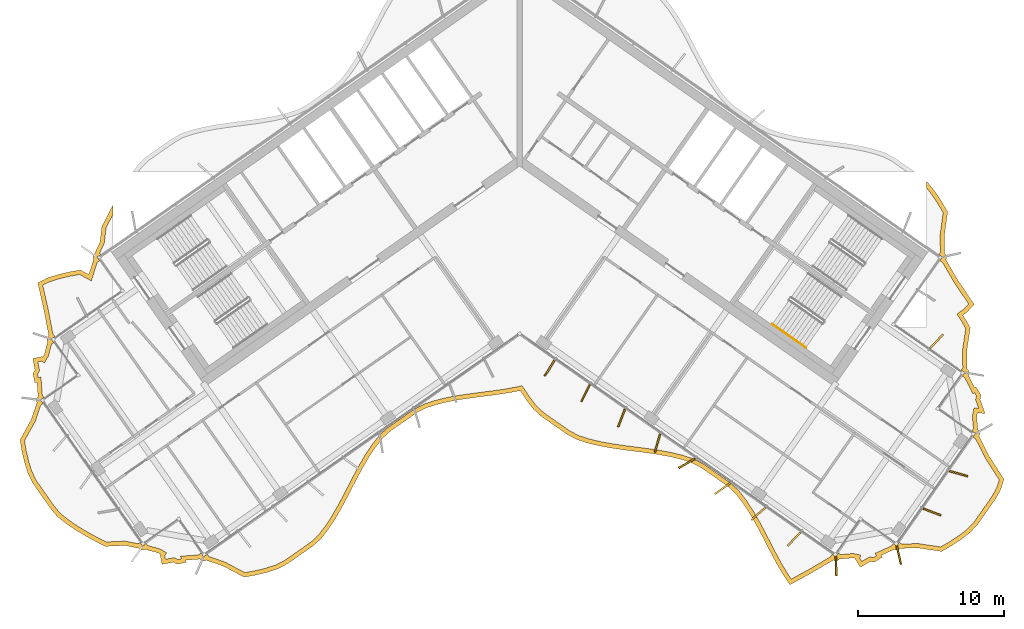
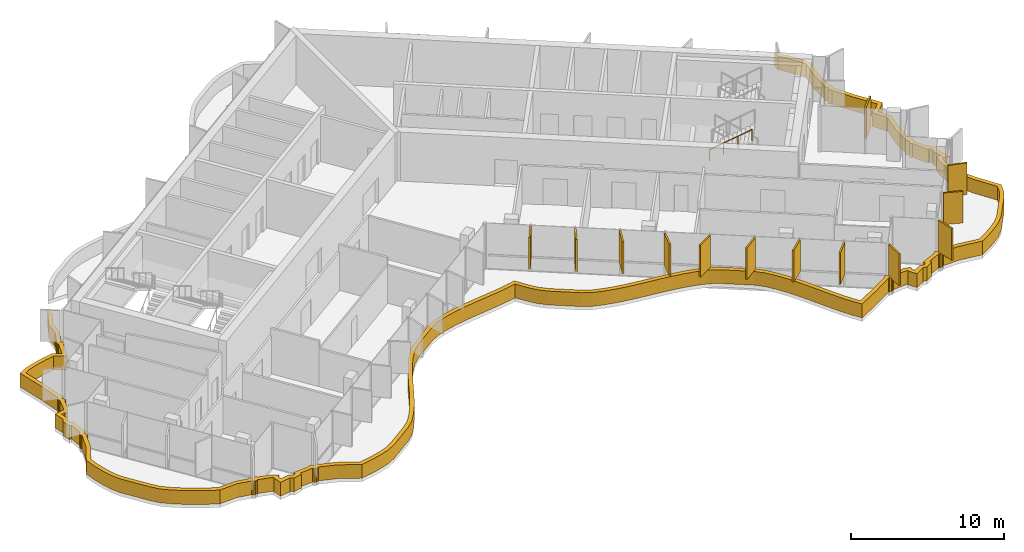
# One storey, part 16 of 18: 14 shading devices, 1 railing.
"""IFC4 building model written with IfcOpenShell, lengths in metres."""

from ifc_helpers import new_model, si_unit, direction, frame, origin, origin_2d, place, context, subcontext, project, spatial, polyline, rectangle, circle, outline, extrude, material, layer, layer_set, type_object, element, save


model = new_model("IFC4")

# Units and contexts
model_context = context("Model", 3, precision=1e-05, world=origin(), true_north=direction((0.0, 1.0)))
body_context = subcontext(model_context, "Body", "Model", "MODEL_VIEW")
ifc_project = project(units=[si_unit("LENGTHUNIT", "METRE"), si_unit("AREAUNIT", "SQUARE_METRE"), si_unit("VOLUMEUNIT", "CUBIC_METRE"), si_unit("PLANEANGLEUNIT", "RADIAN"), si_unit("MASSUNIT", "GRAM", prefix="KILO")], contexts=[model_context])

# Site, building, storey
site_placement = place(None, origin())
site = spatial("IfcSite", under=ifc_project, at=site_placement, CompositionType="ELEMENT")
building_placement = place(site_placement, origin())
building = spatial("IfcBuilding", under=site, at=building_placement, Name="Tel Ilan Convention Tower", CompositionType="ELEMENT")
storey_placement = place(building_placement, frame((0.0, 0.0, 264.39990234375)))
storey = spatial("IfcBuildingStorey", under=building, at=storey_placement, Name="L62", CompositionType="ELEMENT", Elevation=264.39990234375)

# Shading devices
ifc_material_1 = material(Name="Aluminium, bronze anodised", Category="aluminium")
ifc_layer_1 = layer(ifc_material_1, 0.1201171875)
ifc_layer_set_1 = layer_set([ifc_layer_1], Name="FIN BRONZE 1300x120")
shading_device_type_1 = type_object("IfcShadingDeviceType", Name="FIN BRONZE 1300x120", PredefinedType="USERDEFINED", material=ifc_layer_set_1)
for number, where, z_axis, x_axis, name in (
    (1, (2.059326171875, -15.055419921875, 1.10009765625), (0.0, 0.0, 1.0), (-0.533204432798, -0.845986425922, 0.0), "FIN"),
    (2, (4.51806640625, -16.77685546875, 1.10009765625), (0.0, 0.0, 1.0), (-0.448799180206, -0.893632640321, 0.0), "FIN"),
    (3, (6.9794921875, -18.492431640625, 1.10009765625), (0.0, 0.0, 1.0), (-0.360177724803, -0.932883704733, 0.0), "FIN"),
    (4, (9.443359375, -20.202392578125, 1.10009765625), (0.0, 0.0, 1.0), (-0.268172612768, -0.963370878614, 0.0), "FIN"),
    (5, (11.458740234375, -21.59130859375, 1.10009765625), (0.0, 0.0, 1.0), (-0.866025403784, -0.5, 0.0), "FIN"),
    (6, (13.9033203125, -23.3251953125, 1.10009765625), (0.0, 0.0, 1.0), (-0.813552070258, -0.581492071294, 0.0), "FIN"),
    (7, (16.352783203125, -25.0556640625, 1.10009765625), (0.0, 0.0, 1.0), (-0.753435896329, -0.657521368568, 0.0), "FIN"),
    (8, (18.806884765625, -26.781982421875, 1.10009765625), (0.0, 0.0, 1.0), (-0.686241637865, -0.727373641577, 0.0), "FIN"),
    (9, (21.68505859375, -28.645751953125, 1.10009765625), (0.0, 0.0, 1.0), (0.029084718749, -0.999576950082, 0.0), "FIN"),
    (10, (25.987060546875, -27.887451171875, 1.10009765625), (0.0, 0.0, 1.0), (0.221170268371, -0.975235208752, 0.0), "FIN"),
    (11, (28.258056640625, -24.9267578125, 1.10009765625), (0.0, 0.0, 1.0), (0.932883704733, -0.360177724803, 0.0), "FIN"),
    (12, (30.07958984375, -22.303466796875, 1.10009765625), (0.0, 0.0, 1.0), (0.963370878614, -0.268172612768, 0.0), "FIN"),
    (13, (28.572998046875, -13.230224609375, 1.10009765625), (0.0, 0.0, 1.0), (0.686241637865, 0.727373641577, 0.0), "FIN"),
):
    element("IfcShadingDevice", number, at=place(storey_placement, frame(where, z_axis=z_axis, x_axis=x_axis)), inside=storey, type_object=shading_device_type_1, Name=name, ObjectType="FIN", PredefinedType="USERDEFINED", context=body_context, shape_type="SweptSolid", body=[
        extrude(rectangle(XDim=1.300048828125, YDim=0.1201171875, at=origin_2d()), origin(), (0.0, 0.0, 1.0), 2.52001953125),
    ])
ifc_material_2 = material(Name="Aluminium, bronze anodised", Category="aluminium")
ifc_layer_2 = layer(ifc_material_2, 0.300048828125)
ifc_layer_set_2 = layer_set([ifc_layer_2], Name="LOUVRE BAND 300x1100")
shading_device_type_2 = type_object("IfcShadingDeviceType", Name="LOUVRE BAND 300x1100", PredefinedType="USERDEFINED", material=ifc_layer_set_2)
shading_device_placement = place(storey_placement, origin())
element("IfcShadingDevice", 14, at=shading_device_placement, inside=storey, type_object=shading_device_type_2, Name="LOUVRE BAND 47.01", ObjectType="LOUVRE", PredefinedType="USERDEFINED", context=body_context, shape_type="SweptSolid", body=[
    extrude(outline(polyline([(-33.47021484375, -18.574462890625), (-34.248779296875, -19.995849609375), (-34.1181640625, -20.780517578125), (-33.940185546875, -21.531982421875), (-33.7158203125, -22.2509765625), (-33.401611328125, -22.906982421875), (-32.166748046875, -24.670654296875), (-31.707763671875, -25.22509765625), (-31.125732421875, -25.69384765625), (-30.49462890625, -26.1279296875), (-29.82373046875, -26.5341796875), (-29.12353515625, -26.920166015625), (-28.398193359375, -27.288330078125), (-27.05419921875, -27.223388671875), (-26.083984375, -27.420166015625), (-26.05517578125, -27.46337890625), (-25.957763671875, -27.5283203125), (-25.843017578125, -27.55126953125), (-25.728271484375, -27.5283203125), (-25.674072265625, -27.492431640625), (-24.7724609375, -27.73388671875), (-24.61669921875, -27.828857421875), (-24.64697265625, -27.878662109375), (-24.51416015625, -28.518310546875), (-23.728759765625, -28.3701171875), (-23.49462890625, -28.5126953125), (-22.855224609375, -28.3798828125), (-22.8828125, -28.233154296875), (-21.90576171875, -28.15673828125), (-21.876953125, -28.2001953125), (-21.779541015625, -28.26513671875), (-21.664794921875, -28.2880859375), (-21.550048828125, -28.26513671875), (-21.49609375, -28.22900390625), (-20.311279296875, -28.64013671875), (-18.883544921875, -29.3984375), (-18.087646484375, -29.25439453125), (-17.32080078125, -29.068359375), (-16.588623046875, -28.833251953125), (-15.931640625, -28.490478515625), (-14.12646484375, -27.226318359375), (-13.582763671875, -26.721923828125), (-13.1123046875, -26.113037109375), (-12.67626953125, -25.454833984375), (-12.267333984375, -24.7578125), (-11.877197265625, -24.0341796875), (-11.11572265625, -22.56005859375), (-10.724853515625, -21.83740234375), (-10.314697265625, -21.142333984375), (-9.877197265625, -20.486572265625), (-9.404541015625, -19.88037109375), (-8.85498046875, -19.384765625), (-7.049560546875, -18.12060546875), (-6.386474609375, -17.78662109375), (-5.65234375, -17.55419921875), (-4.884033203125, -17.370849609375), (-4.088623046875, -17.225830078125), (-3.274658203125, -17.107421875), (-1.629150390625, -16.895751953125), (-0.816650390625, -16.775146484375), (0.033203125, -16.6123046875), (0.470458984375, -17.269775390625), (0.94189453125, -17.877197265625), (1.488525390625, -18.377197265625), (3.2939453125, -19.641357421875), (3.953857421875, -19.979736328125), (4.68701171875, -20.213623046875), (5.45458984375, -20.398193359375), (6.24951171875, -20.5439453125), (7.06298828125, -20.6630859375), (8.70849609375, -20.87451171875), (9.521240234375, -20.99462890625), (10.314697265625, -21.142333984375), (11.080810546875, -21.329345703125), (11.811767578125, -21.56591796875), (12.4658203125, -21.912841796875), (14.27099609375, -23.177001953125), (14.811767578125, -23.685791015625), (15.28125, -24.29638671875), (15.71630859375, -24.95556640625), (16.12451171875, -25.653564453125), (16.51416015625, -26.3779296875), (17.27587890625, -27.851806640625), (17.6669921875, -28.573974609375), (18.077880859375, -29.26806640625), (18.5185546875, -29.91943359375), (19.969482421875, -29.128173828125), (21.49609375, -28.22900390625), (21.550048828125, -28.26513671875), (21.664794921875, -28.2880859375), (21.779541015625, -28.26513671875), (21.876953125, -28.2001953125), (21.90576171875, -28.15673828125), (22.8359375, -28.075439453125), (23.0146484375, -28.111328125), (23.003173828125, -28.168701171875), (23.3466796875, -28.72412109375), (24.0341796875, -28.316162109375), (24.302734375, -28.370361328125), (24.8583984375, -28.02685546875), (24.7822265625, -27.8984375), (25.674072265625, -27.492431640625), (25.728271484375, -27.5283203125), (25.843017578125, -27.55126953125), (25.957763671875, -27.5283203125), (26.05517578125, -27.46337890625), (26.083984375, -27.420166015625), (27.309326171875, -27.395263671875), (28.911376953125, -27.634521484375), (29.60546875, -27.237548828125), (30.25439453125, -26.809326171875), (30.856201171875, -26.347900390625), (31.3623046875, -25.819580078125), (32.6064453125, -24.042724609375), (32.962646484375, -23.409423828125), (33.192138671875, -22.687255859375), (32.166015625, -21.086181640625), (31.4755859375, -19.719970703125), (31.51171875, -19.666015625), (31.53466796875, -19.55126953125), (31.51171875, -19.4365234375), (31.44677734375, -19.339111328125), (31.4033203125, -19.31005859375), (31.322021484375, -18.380126953125), (31.373779296875, -18.12255859375), (31.9052734375, -18.189697265625), (31.555419921875, -17.218994140625), (31.616943359375, -16.9130859375), (31.2734375, -16.357666015625), (31.182861328125, -16.411376953125), (30.739013671875, -15.541748046875), (30.775146484375, -15.48779296875), (30.7978515625, -15.373046875), (30.775146484375, -15.25830078125), (30.7099609375, -15.160888671875), (30.666748046875, -15.1318359375), (30.642822265625, -13.902099609375), (30.879638671875, -12.2998046875), (30.48095703125, -11.605224609375), (30.3720703125, -11.4404296875), (30.66748046875, -11.218994140625), (31.151123046875, -10.703125), (30.056640625, -9.082275390625), (29.199951171875, -7.6279296875), (29.236083984375, -7.57373046875), (29.2587890625, -7.458984375), (29.236083984375, -7.34423828125), (29.1708984375, -7.246826171875), (29.127685546875, -7.218017578125), (29.10986328125, -5.95947265625), (29.331298828125, -4.35888671875), (28.922119140625, -3.659423828125), (28.48388671875, -3.001220703125), (28.0107421875, -2.392822265625), (27.874755859375, -2.269287109375), (27.874755859375, -2.70654296875), (28.240234375, -3.176513671875), (28.66748046875, -3.818359375), (29.02001953125, -4.420654296875), (28.809326171875, -5.941162109375), (28.829345703125, -7.12109375), (28.713134765625, -7.286865234375), (28.958740234375, -7.458984375), (28.787353515625, -7.705322265625), (28.97900390625, -7.83935546875), (29.802734375, -9.2421875), (30.7685546875, -10.672607421875), (30.466552734375, -10.99462890625), (29.9658203125, -11.369873046875), (30.225341796875, -11.7626953125), (30.567626953125, -12.35888671875), (30.34228515625, -13.88330078125), (30.367919921875, -15.03564453125), (30.252197265625, -15.200927734375), (30.497802734375, -15.373046875), (30.326416015625, -15.619140625), (30.510009765625, -15.747802734375), (31.060302734375, -16.832763671875), (31.173095703125, -16.765869140625), (31.29931640625, -16.97021484375), (31.244873046875, -17.241943359375), (31.45703125, -17.830810546875), (31.134765625, -17.7900390625), (31.019287109375, -18.364013671875), (31.097900390625, -19.223388671875), (30.98876953125, -19.379150390625), (31.234619140625, -19.55126953125), (31.063232421875, -19.79736328125), (31.246337890625, -19.92578125), (31.905029296875, -21.23486328125), (32.863525390625, -22.730712890625), (32.68603515625, -23.289306640625), (32.352294921875, -23.8828125), (31.129638671875, -25.628662109375), (30.6552734375, -26.123779296875), (30.080322265625, -26.56494140625), (29.4482421875, -26.98193359375), (28.852783203125, -27.322265625), (27.328125, -27.0947265625), (26.18017578125, -27.12109375), (26.01513671875, -27.005615234375), (25.843017578125, -27.251220703125), (25.5966796875, -27.079833984375), (25.472412109375, -27.257568359375), (24.35302734375, -27.762939453125), (24.4501953125, -27.926513671875), (24.245849609375, -28.052734375), (23.980224609375, -27.99951171875), (23.447021484375, -28.31591796875), (23.32080078125, -28.111572265625), (23.367919921875, -27.87646484375), (22.85205078125, -27.772705078125), (21.99267578125, -27.851318359375), (21.8369140625, -27.7421875), (21.664794921875, -27.988037109375), (21.418701171875, -27.816650390625), (21.284423828125, -28.008056640625), (19.82177734375, -28.866943359375), (18.6142578125, -29.525634765625), (18.331298828125, -29.107666015625), (17.92822265625, -28.426025390625), (17.541015625, -27.71142578125), (16.779541015625, -26.238037109375), (16.38623046875, -25.506591796875), (15.97119140625, -24.797119140625), (15.525634765625, -24.1220703125), (15.034912109375, -23.48388671875), (14.4609375, -22.94384765625), (12.62255859375, -21.656494140625), (11.92919921875, -21.288818359375), (11.16259765625, -21.04052734375), (10.3779296875, -20.848876953125), (9.570556640625, -20.69873046875), (8.749755859375, -20.577392578125), (7.103759765625, -20.36572265625), (6.29833984375, -20.248046875), (5.516845703125, -20.1044921875), (4.767822265625, -19.924560546875), (4.068603515625, -19.701416015625), (3.44921875, -19.3837890625), (1.6767578125, -18.142822265625), (1.163330078125, -17.673095703125), (0.714111328125, -17.094482421875), (0.165771484375, -16.269775390625), (-0.087890625, -16.33349609375), (-0.866455078125, -16.479248046875), (-1.67041015625, -16.5986328125), (-3.315185546875, -16.81005859375), (-4.136962890625, -16.9296875), (-4.945556640625, -17.0771484375), (-5.732666015625, -17.264892578125), (-6.5, -17.5078125), (-7.203857421875, -17.8623046875), (-9.042236328125, -19.1494140625), (-9.625, -19.67529296875), (-10.12060546875, -20.310791015625), (-10.56884765625, -20.982666015625), (-10.986083984375, -21.68994140625), (-11.380859375, -22.419677734375), (-12.142578125, -23.89404296875), (-12.529052734375, -24.61083984375), (-12.930908203125, -25.2958984375), (-13.356201171875, -25.938232421875), (-13.804931640625, -26.518798828125), (-14.315185546875, -26.992431640625), (-16.087890625, -28.233642578125), (-16.704833984375, -28.555419921875), (-17.402099609375, -28.779541015625), (-18.149658203125, -28.960693359375), (-18.83447265625, -29.084716796875), (-20.19140625, -28.3642578125), (-21.302978515625, -27.981689453125), (-21.418701171875, -27.816650390625), (-21.664794921875, -27.988037109375), (-21.8369140625, -27.7421875), (-22.01513671875, -27.8671875), (-23.239990234375, -27.959228515625), (-23.20458984375, -28.14599609375), (-23.439697265625, -28.19482421875), (-23.671142578125, -28.053955078125), (-24.2802734375, -28.1689453125), (-24.3291015625, -27.933837890625), (-24.204345703125, -27.72900390625), (-24.65380859375, -27.455078125), (-25.48828125, -27.23486328125), (-25.5966796875, -27.079833984375), (-25.843017578125, -27.251220703125), (-26.01513671875, -27.005615234375), (-26.15478515625, -27.103271484375), (-27.03076171875, -26.921875), (-28.333251953125, -26.98486328125), (-28.983154296875, -26.65478515625), (-29.673583984375, -26.2744140625), (-30.331787109375, -25.8759765625), (-30.946533203125, -25.453125), (-31.495849609375, -25.010498046875), (-31.927978515625, -24.488525390625), (-33.141845703125, -22.755126953125), (-33.43603515625, -22.140869140625), (-33.650634765625, -21.45263671875), (-33.823974609375, -20.72119140625), (-33.935791015625, -20.048828125), (-33.1943359375, -18.6953125), (-32.833251953125, -17.61865234375), (-32.669189453125, -17.50390625), (-32.840576171875, -17.257568359375), (-32.594970703125, -17.08544921875), (-32.7197265625, -16.9072265625), (-32.811767578125, -15.6826171875), (-32.998779296875, -15.7177734375), (-33.047607421875, -15.482666015625), (-32.906494140625, -15.251220703125), (-33.021484375, -14.64208984375), (-32.786376953125, -14.59326171875), (-32.58154296875, -14.718017578125), (-32.3076171875, -14.268798828125), (-32.087646484375, -13.434326171875), (-31.932373046875, -13.32568359375), (-32.103759765625, -13.079345703125), (-31.858154296875, -12.9072265625), (-31.993408203125, -12.714111328125), (-32.314697265625, -11.033447265625), (-32.68798828125, -9.385986328125), (-32.26708984375, -9.168701171875), (-31.5771484375, -8.950439453125), (-30.838623046875, -8.77392578125), (-30.161376953125, -8.65625), (-29.363525390625, -9.087646484375), (-28.950439453125, -7.8193359375), (-28.787353515625, -7.705322265625), (-28.958740234375, -7.458984375), (-28.713134765625, -7.286865234375), (-28.785888671875, -7.182861328125), (-28.480224609375, -6.525634765625), (-28.343994140625, -5.44384765625), (-27.874755859375, -4.536376953125), (-27.874755859375, -3.881103515625), (-28.635009765625, -5.353271484375), (-28.772216796875, -6.441650390625), (-29.127685546875, -7.218017578125), (-29.1708984375, -7.246826171875), (-29.236083984375, -7.34423828125), (-29.2587890625, -7.458984375), (-29.236083984375, -7.57373046875), (-29.199951171875, -7.6279296875), (-29.537353515625, -8.652587890625), (-30.110107421875, -8.3427734375), (-30.899169921875, -8.47998046875), (-31.6572265625, -8.661376953125), (-32.3818359375, -8.890380859375), (-33.031982421875, -9.225830078125), (-32.6083984375, -11.094970703125), (-32.272705078125, -12.83837890625), (-32.31591796875, -12.8671875), (-32.381103515625, -12.964599609375), (-32.40380859375, -13.079345703125), (-32.381103515625, -13.1943359375), (-32.344970703125, -13.248291015625), (-32.586669921875, -14.14990234375), (-32.681640625, -14.3056640625), (-32.7314453125, -14.275390625), (-33.370849609375, -14.408203125), (-33.22265625, -15.193603515625), (-33.365478515625, -15.427734375), (-33.232666015625, -16.067138671875), (-33.0859375, -16.03955078125), (-33.009521484375, -17.0166015625), (-33.052734375, -17.04541015625), (-33.11767578125, -17.142822265625), (-33.140625, -17.257568359375), (-33.11767578125, -17.372314453125), (-33.081787109375, -17.426513671875), (-33.47021484375, -18.574462890625)])), origin(), (0.0, 0.0, 1.0), 1.10009765625),
])

# Railing
ifc_material_3 = material(Name="Stainless Steel Grade 316", Category="steel")
railing_type = type_object("IfcRailingType", Name="Stainless Steel Stair Handrail 900 mm", PredefinedType="HANDRAIL", material=ifc_material_3)
railing_placement = place(storey_placement, frame((17.312744140625, -12.0615234375, 2.12744140625)))
element("IfcRailing", 15, at=railing_placement, inside=storey, type_object=railing_type, Name="L62 S4 stair handrail 2", PredefinedType="HANDRAIL", context=body_context, shape_type="SweptSolid", body=[
    extrude(circle(Radius=0.02392578125, at=origin_2d()), frame((0.0, 0.0, 0.8759765625), z_axis=(0.692123088272, -0.484596665743, 0.534912798717), x_axis=(0.573550118428, 0.819170471667, 0.0)), (0.0, 0.0, 1.0), 3.31396484375),
    extrude(circle(Radius=0.02099609375, at=origin_2d()), origin(), (0.0, 0.0, 1.0), 0.851806640625),
    extrude(circle(Radius=0.02099609375, at=origin_2d()), frame((0.7646484375, -0.535400390625, 0.5908203125)), (0.0, 0.0, 1.0), 0.851806640625),
    extrude(circle(Radius=0.02099609375, at=origin_2d()), frame((1.529052734375, -1.070556640625, 1.181884765625)), (0.0, 0.0, 1.0), 0.851806640625),
    extrude(circle(Radius=0.02099609375, at=origin_2d()), frame((2.293701171875, -1.60595703125, 1.772705078125)), (0.0, 0.0, 1.0), 0.851806640625),
])

save(model, "model.ifc")
